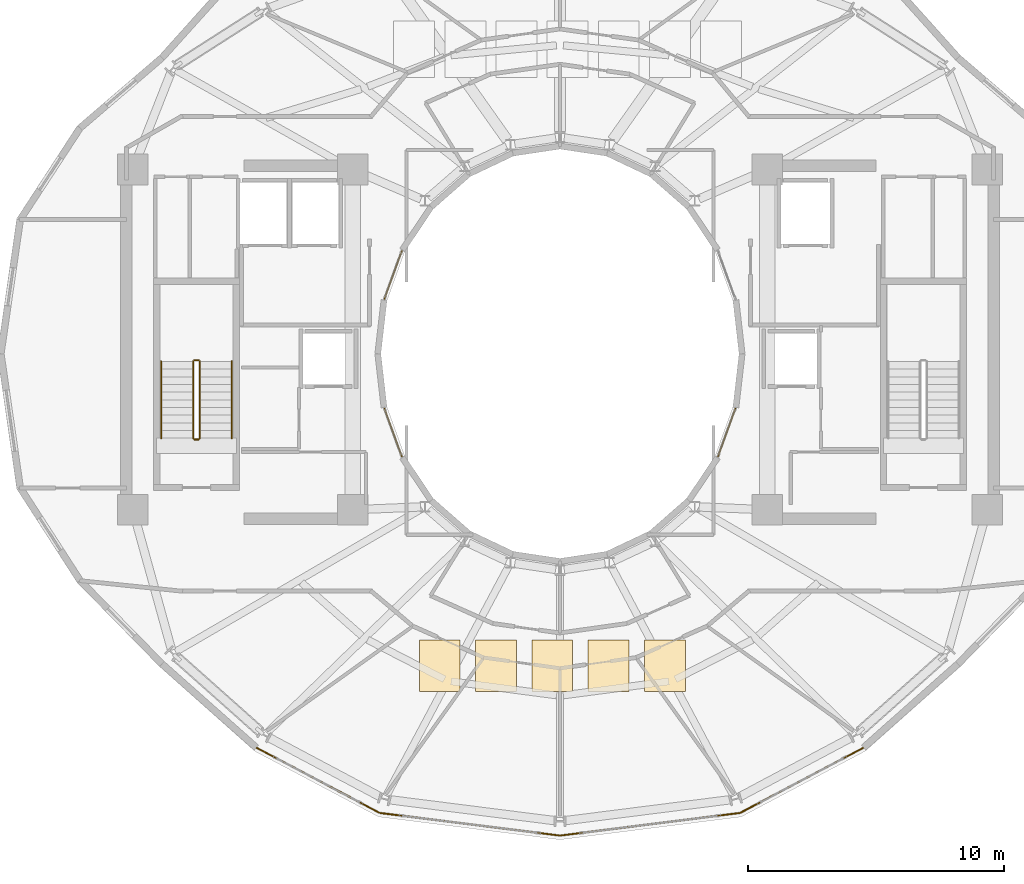
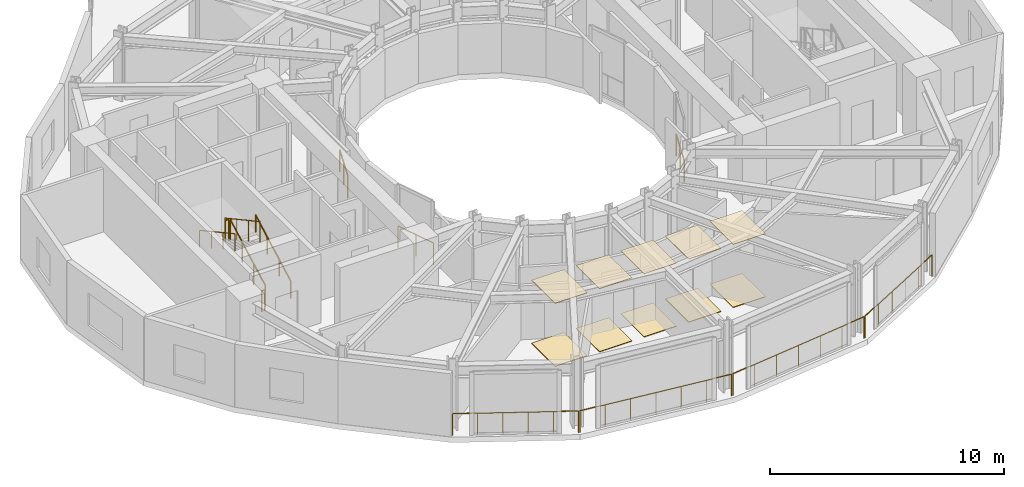
# One storey, part 22 of 24: 13 railings, 10 coverings.
"""IFC4 building model written with IfcOpenShell, lengths in metres."""

from ifc_helpers import new_model, si_unit, direction, frame, origin, origin_2d, place, context, subcontext, project, spatial, polyline, circle, outline, extrude, material, layer, layer_set, type_object, element, save


model = new_model("IFC4")

# Units and contexts
model_context = context("Model", 3, precision=1e-05, world=origin(), true_north=direction((0.0, 1.0)))
body_context = subcontext(model_context, "Body", "Model", "MODEL_VIEW")
ifc_project = project(units=[si_unit("LENGTHUNIT", "METRE"), si_unit("AREAUNIT", "SQUARE_METRE"), si_unit("VOLUMEUNIT", "CUBIC_METRE"), si_unit("PLANEANGLEUNIT", "RADIAN"), si_unit("MASSUNIT", "GRAM", prefix="KILO")], contexts=[model_context])

# Site, building, storey
site_placement = place(None, origin())
site = spatial("IfcSite", under=ifc_project, at=site_placement, CompositionType="ELEMENT")
building_placement = place(site_placement, origin())
building = spatial("IfcBuilding", under=site, at=building_placement, Name="Solvane Sanctuary Tower", CompositionType="ELEMENT")
storey_placement = place(building_placement, frame((0.0, 0.0, 246.0)))
storey = spatial("IfcBuildingStorey", under=building, at=storey_placement, Name="L75", CompositionType="ELEMENT", Elevation=246.0)

# Coverings
ifc_material_1 = material(Name="Acoustic Gypsum Partition Board")
ifc_layer_1 = layer(ifc_material_1, 0.02490234375, Name="Acoustic Gypsum Partition Board")
ifc_layer_set_1 = layer_set([ifc_layer_1], Name="Acoustic Gypsum Partition Board")
covering_type_1 = type_object("IfcCoveringType", Name="Covering CLG-ACOUST", PredefinedType="CEILING", material=ifc_layer_set_1)
covering_1_placement = place(storey_placement, frame((0.0, 0.0, 3.2900390625)))
element("IfcCovering", 1, at=covering_1_placement, inside=storey, type_object=covering_type_1, Name="L75 Sky Dining Acoustic Coffer 8", PredefinedType="CEILING", context=body_context, shape_type="SweptSolid", body=[
    extrude(outline(polyline([(26.5, 9.800048828125), (28.10009765625, 9.800048828125), (28.10009765625, 11.800048828125), (26.5, 11.800048828125), (26.5, 9.800048828125)])), origin(), (0.0, 0.0, 1.0), 0.030029296875),
])
covering_2_placement = place(storey_placement, frame((0.0, 0.0, 3.2900390625)))
element("IfcCovering", 2, at=covering_2_placement, inside=storey, type_object=covering_type_1, Name="L75 Sky Dining Acoustic Coffer 9", PredefinedType="CEILING", context=body_context, shape_type="SweptSolid", body=[
    extrude(outline(polyline([(28.699951171875, 9.800048828125), (30.300048828125, 9.800048828125), (30.300048828125, 11.800048828125), (28.699951171875, 11.800048828125), (28.699951171875, 9.800048828125)])), origin(), (0.0, 0.0, 1.0), 0.030029296875),
])
covering_3_placement = place(storey_placement, frame((0.0, 0.0, 3.2900390625)))
element("IfcCovering", 3, at=covering_3_placement, inside=storey, type_object=covering_type_1, Name="L75 Sky Dining Acoustic Coffer 10", PredefinedType="CEILING", context=body_context, shape_type="SweptSolid", body=[
    extrude(outline(polyline([(30.89990234375, 9.800048828125), (32.5, 9.800048828125), (32.5, 11.800048828125), (30.89990234375, 11.800048828125), (30.89990234375, 9.800048828125)])), origin(), (0.0, 0.0, 1.0), 0.030029296875),
])
covering_4_placement = place(storey_placement, frame((0.0, 0.0, 3.2900390625)))
element("IfcCovering", 4, at=covering_4_placement, inside=storey, type_object=covering_type_1, Name="L75 Sky Dining Acoustic Coffer 11", PredefinedType="CEILING", context=body_context, shape_type="SweptSolid", body=[
    extrude(outline(polyline([(33.10009765625, 9.800048828125), (34.699951171875, 9.800048828125), (34.699951171875, 11.800048828125), (33.10009765625, 11.800048828125), (33.10009765625, 9.800048828125)])), origin(), (0.0, 0.0, 1.0), 0.030029296875),
])
covering_5_placement = place(storey_placement, frame((0.0, 0.0, 3.2900390625)))
element("IfcCovering", 5, at=covering_5_placement, inside=storey, type_object=covering_type_1, Name="L75 Sky Dining Acoustic Coffer 12", PredefinedType="CEILING", context=body_context, shape_type="SweptSolid", body=[
    extrude(outline(polyline([(35.300048828125, 9.800048828125), (36.89990234375, 9.800048828125), (36.89990234375, 11.800048828125), (35.300048828125, 11.800048828125), (35.300048828125, 9.800048828125)])), origin(), (0.0, 0.0, 1.0), 0.030029296875),
])
ifc_material_2 = material(Name="Ceramic Tile Finish")
ifc_layer_2 = layer(ifc_material_2, 0.030029296875, Name="Ceramic Tile Finish")
ifc_layer_set_2 = layer_set([ifc_layer_2], Name="Ceramic Tile Finish")
covering_type_2 = type_object("IfcCoveringType", Name="Covering FLR-TERRAZZO", PredefinedType="FLOORING", material=ifc_layer_set_2)
covering_6_placement = place(storey_placement, origin())
element("IfcCovering", 6, at=covering_6_placement, inside=storey, type_object=covering_type_2, Name="L75 Sky Dining Terrazzo Inlay 8", PredefinedType="FLOORING", context=body_context, shape_type="SweptSolid", body=[
    extrude(outline(polyline([(26.5, 9.800048828125), (28.10009765625, 9.800048828125), (28.10009765625, 11.800048828125), (26.5, 11.800048828125), (26.5, 9.800048828125)])), origin(), (0.0, 0.0, 1.0), 0.034912109375),
])
covering_7_placement = place(storey_placement, origin())
element("IfcCovering", 7, at=covering_7_placement, inside=storey, type_object=covering_type_2, Name="L75 Sky Dining Terrazzo Inlay 9", PredefinedType="FLOORING", context=body_context, shape_type="SweptSolid", body=[
    extrude(outline(polyline([(28.699951171875, 9.800048828125), (30.300048828125, 9.800048828125), (30.300048828125, 11.800048828125), (28.699951171875, 11.800048828125), (28.699951171875, 9.800048828125)])), origin(), (0.0, 0.0, 1.0), 0.034912109375),
])
covering_8_placement = place(storey_placement, origin())
element("IfcCovering", 8, at=covering_8_placement, inside=storey, type_object=covering_type_2, Name="L75 Sky Dining Terrazzo Inlay 10", PredefinedType="FLOORING", context=body_context, shape_type="SweptSolid", body=[
    extrude(outline(polyline([(30.89990234375, 9.800048828125), (32.5, 9.800048828125), (32.5, 11.800048828125), (30.89990234375, 11.800048828125), (30.89990234375, 9.800048828125)])), origin(), (0.0, 0.0, 1.0), 0.034912109375),
])
covering_9_placement = place(storey_placement, origin())
element("IfcCovering", 9, at=covering_9_placement, inside=storey, type_object=covering_type_2, Name="L75 Sky Dining Terrazzo Inlay 11", PredefinedType="FLOORING", context=body_context, shape_type="SweptSolid", body=[
    extrude(outline(polyline([(33.10009765625, 9.800048828125), (34.699951171875, 9.800048828125), (34.699951171875, 11.800048828125), (33.10009765625, 11.800048828125), (33.10009765625, 9.800048828125)])), origin(), (0.0, 0.0, 1.0), 0.034912109375),
])
covering_10_placement = place(storey_placement, origin())
element("IfcCovering", 10, at=covering_10_placement, inside=storey, type_object=covering_type_2, Name="L75 Sky Dining Terrazzo Inlay 12", PredefinedType="FLOORING", context=body_context, shape_type="SweptSolid", body=[
    extrude(outline(polyline([(35.300048828125, 9.800048828125), (36.89990234375, 9.800048828125), (36.89990234375, 11.800048828125), (35.300048828125, 11.800048828125), (35.300048828125, 9.800048828125)])), origin(), (0.0, 0.0, 1.0), 0.034912109375),
])

# Railings
ifc_material_3 = material(Name="Architectural Stainless Steel 316", Category="steel")
railing_type_1 = type_object("IfcRailingType", Name="Railing GR-BALC-1150", PredefinedType="BALUSTRADE", material=ifc_material_3)
railing_1_placement = place(storey_placement, frame((20.156494140625, 7.5869140625, 0.0)))
element("IfcRailing", 11, at=railing_1_placement, inside=storey, type_object=railing_type_1, Name="L75 Curtain-Wall Perimeter Sill Guard 16", PredefinedType="BALUSTRADE", context=body_context, shape_type="SweptSolid", body=[
    extrude(circle(Radius=0.02392578125, at=origin_2d()), frame((0.0, 0.0, 1.1259765625), z_axis=(0.883976980304, -0.467530424992, 0.0), x_axis=(0.467530424992, 0.883976980304, 0.0)), (0.0, 0.0, 1.0), 5.400390625),
    extrude(circle(Radius=0.02099609375, at=origin_2d()), origin(), (0.0, 0.0, 1.0), 1.101806640625),
    extrude(circle(Radius=0.02099609375, at=origin_2d()), frame((0.954833984375, -0.5048828125, 0.0)), (0.0, 0.0, 1.0), 1.101806640625),
    extrude(circle(Radius=0.02099609375, at=origin_2d()), frame((1.90966796875, -1.010009765625, 0.0)), (0.0, 0.0, 1.0), 1.101806640625),
    extrude(circle(Radius=0.02099609375, at=origin_2d()), frame((2.8642578125, -1.514892578125, 0.0)), (0.0, 0.0, 1.0), 1.101806640625),
    extrude(circle(Radius=0.02099609375, at=origin_2d()), frame((3.819091796875, -2.02001953125, 0.0)), (0.0, 0.0, 1.0), 1.101806640625),
    extrude(circle(Radius=0.02099609375, at=origin_2d()), frame((4.77392578125, -2.52490234375, 0.0)), (0.0, 0.0, 1.0), 1.101806640625),
])
railing_2_placement = place(storey_placement, frame((24.98681640625, 5.04443359375, 0.0)))
element("IfcRailing", 12, at=railing_2_placement, inside=storey, type_object=railing_type_1, Name="L75 Curtain-Wall Perimeter Sill Guard 17", PredefinedType="BALUSTRADE", context=body_context, shape_type="SweptSolid", body=[
    extrude(circle(Radius=0.02392578125, at=origin_2d()), frame((0.0, 0.0, 1.1259765625), z_axis=(0.992181523379, -0.124803143655, 0.0), x_axis=(0.124803143655, 0.992181523379, 0.0)), (0.0, 0.0, 1.0), 7.038330078125),
    extrude(circle(Radius=0.02099609375, at=origin_2d()), origin(), (0.0, 0.0, 1.0), 1.101806640625),
    extrude(circle(Radius=0.02099609375, at=origin_2d()), frame((1.163818359375, -0.146484375, 0.0)), (0.0, 0.0, 1.0), 1.101806640625),
    extrude(circle(Radius=0.02099609375, at=origin_2d()), frame((2.327880859375, -0.292724609375, 0.0)), (0.0, 0.0, 1.0), 1.101806640625),
    extrude(circle(Radius=0.02099609375, at=origin_2d()), frame((3.49169921875, -0.439208984375, 0.0)), (0.0, 0.0, 1.0), 1.101806640625),
    extrude(circle(Radius=0.02099609375, at=origin_2d()), frame((4.655517578125, -0.585693359375, 0.0)), (0.0, 0.0, 1.0), 1.101806640625),
    extrude(circle(Radius=0.02099609375, at=origin_2d()), frame((5.819580078125, -0.73193359375, 0.0)), (0.0, 0.0, 1.0), 1.101806640625),
    extrude(circle(Radius=0.02099609375, at=origin_2d()), frame((6.9833984375, -0.87841796875, 0.0)), (0.0, 0.0, 1.0), 1.101806640625),
])
railing_3_placement = place(storey_placement, frame((32.02978515625, 4.166015625, 0.0)))
element("IfcRailing", 13, at=railing_3_placement, inside=storey, type_object=railing_type_1, Name="L75 Curtain-Wall Perimeter Sill Guard 18", PredefinedType="BALUSTRADE", context=body_context, shape_type="SweptSolid", body=[
    extrude(circle(Radius=0.02392578125, at=origin_2d()), frame((0.0, 0.0, 1.1259765625), z_axis=(0.992181523379, 0.124803143655, 0.0), x_axis=(-0.124803143655, 0.992181523379, 0.0)), (0.0, 0.0, 1.0), 7.038330078125),
    extrude(circle(Radius=0.02099609375, at=origin_2d()), origin(), (0.0, 0.0, 1.0), 1.101806640625),
    extrude(circle(Radius=0.02099609375, at=origin_2d()), frame((1.163818359375, 0.146484375, 0.0)), (0.0, 0.0, 1.0), 1.101806640625),
    extrude(circle(Radius=0.02099609375, at=origin_2d()), frame((2.327880859375, 0.292724609375, 0.0)), (0.0, 0.0, 1.0), 1.101806640625),
    extrude(circle(Radius=0.02099609375, at=origin_2d()), frame((3.49169921875, 0.439208984375, 0.0)), (0.0, 0.0, 1.0), 1.101806640625),
    extrude(circle(Radius=0.02099609375, at=origin_2d()), frame((4.655517578125, 0.585693359375, 0.0)), (0.0, 0.0, 1.0), 1.101806640625),
    extrude(circle(Radius=0.02099609375, at=origin_2d()), frame((5.819580078125, 0.73193359375, 0.0)), (0.0, 0.0, 1.0), 1.101806640625),
    extrude(circle(Radius=0.02099609375, at=origin_2d()), frame((6.9833984375, 0.87841796875, 0.0)), (0.0, 0.0, 1.0), 1.101806640625),
])
railing_4_placement = place(storey_placement, frame((39.069580078125, 5.06201171875, 0.0)))
element("IfcRailing", 14, at=railing_4_placement, inside=storey, type_object=railing_type_1, Name="L75 Curtain-Wall Perimeter Sill Guard 19", PredefinedType="BALUSTRADE", context=body_context, shape_type="SweptSolid", body=[
    extrude(circle(Radius=0.02392578125, at=origin_2d()), frame((0.0, 0.0, 1.1259765625), z_axis=(0.883976980304, 0.467530424992, 0.0), x_axis=(-0.467530424992, 0.883976980304, 0.0)), (0.0, 0.0, 1.0), 5.400390625),
    extrude(circle(Radius=0.02099609375, at=origin_2d()), origin(), (0.0, 0.0, 1.0), 1.101806640625),
    extrude(circle(Radius=0.02099609375, at=origin_2d()), frame((0.954833984375, 0.5048828125, 0.0)), (0.0, 0.0, 1.0), 1.101806640625),
    extrude(circle(Radius=0.02099609375, at=origin_2d()), frame((1.90966796875, 1.010009765625, 0.0)), (0.0, 0.0, 1.0), 1.101806640625),
    extrude(circle(Radius=0.02099609375, at=origin_2d()), frame((2.8642578125, 1.514892578125, 0.0)), (0.0, 0.0, 1.0), 1.101806640625),
    extrude(circle(Radius=0.02099609375, at=origin_2d()), frame((3.819091796875, 2.02001953125, 0.0)), (0.0, 0.0, 1.0), 1.101806640625),
    extrude(circle(Radius=0.02099609375, at=origin_2d()), frame((4.77392578125, 2.52490234375, 0.0)), (0.0, 0.0, 1.0), 1.101806640625),
])
railing_5_placement = place(storey_placement, frame((17.919921875, 19.699951171875, 0.16357421875)))
element("IfcRailing", 15, at=railing_5_placement, inside=storey, type_object=railing_type_1, Name="L75 ST-1 stair guard 1", PredefinedType="BALUSTRADE", context=body_context, shape_type="SweptSolid", body=[
    extrude(circle(Radius=0.02392578125, at=origin_2d()), frame((0.0, 0.0, 1.076171875), z_axis=(0.0, 0.877881921179, 0.478877158013), x_axis=(-1.0, 0.0, 0.0)), (0.0, 0.0, 1.0), 3.417236328125),
    extrude(circle(Radius=0.02099609375, at=origin_2d()), origin(), (0.0, 0.0, 1.0), 1.052001953125),
    extrude(circle(Radius=0.02099609375, at=origin_2d()), frame((0.0, 1.0, 0.54541015625)), (0.0, 0.0, 1.0), 1.052001953125),
    extrude(circle(Radius=0.02099609375, at=origin_2d()), frame((0.0, 2.0, 1.091064453125)), (0.0, 0.0, 1.0), 1.052001953125),
    extrude(circle(Radius=0.02099609375, at=origin_2d()), frame((0.0, 3.0, 1.636474609375)), (0.0, 0.0, 1.0), 1.052001953125),
])
railing_6_placement = place(storey_placement, frame((17.8701171875, 22.75, 1.800048828125)))
element("IfcRailing", 16, at=railing_6_placement, inside=storey, type_object=railing_type_1, Name="L75 ST-1 stair guard 2", PredefinedType="BALUSTRADE", context=body_context, shape_type="SweptSolid", body=[
    extrude(circle(Radius=0.02392578125, at=origin_2d()), frame((0.0, 0.0, 1.076171875), z_axis=(-1.0, 0.0, 0.0), x_axis=(0.0, -1.0, 0.0)), (0.0, 0.0, 1.0), 0.16015625),
    extrude(circle(Radius=0.02099609375, at=origin_2d()), origin(), (0.0, 0.0, 1.0), 1.052001953125),
    extrude(circle(Radius=0.02099609375, at=origin_2d()), frame((-0.16015625, 0.0, 0.0)), (0.0, 0.0, 1.0), 1.052001953125),
])
railing_7_placement = place(storey_placement, frame((17.659912109375, 22.699951171875, 1.963623046875)))
element("IfcRailing", 17, at=railing_7_placement, inside=storey, type_object=railing_type_1, Name="L75 ST-1 stair guard 3", PredefinedType="BALUSTRADE", context=body_context, shape_type="SweptSolid", body=[
    extrude(circle(Radius=0.02392578125, at=origin_2d()), frame((0.0, 0.0, 1.076171875), z_axis=(0.0, -0.877881921179, 0.478877158013), x_axis=(1.0, 0.0, 0.0)), (0.0, 0.0, 1.0), 3.417236328125),
    extrude(circle(Radius=0.02099609375, at=origin_2d()), origin(), (0.0, 0.0, 1.0), 1.052001953125),
    extrude(circle(Radius=0.02099609375, at=origin_2d()), frame((0.0, -1.0, 0.54541015625)), (0.0, 0.0, 1.0), 1.052001953125),
    extrude(circle(Radius=0.02099609375, at=origin_2d()), frame((0.0, -2.0, 1.091064453125)), (0.0, 0.0, 1.0), 1.052001953125),
    extrude(circle(Radius=0.02099609375, at=origin_2d()), frame((0.0, -3.0, 1.636474609375)), (0.0, 0.0, 1.0), 1.052001953125),
])
railing_8_placement = place(storey_placement, frame((17.8701171875, 19.64990234375, 0.0)))
element("IfcRailing", 18, at=railing_8_placement, inside=storey, type_object=railing_type_1, Name="L75 ST-1 stair guard 4", PredefinedType="BALUSTRADE", context=body_context, shape_type="SweptSolid", body=[
    extrude(circle(Radius=0.02392578125, at=origin_2d()), frame((0.0, 0.0, 1.076171875), z_axis=(-1.0, 0.0, 0.0), x_axis=(0.0, -1.0, 0.0)), (0.0, 0.0, 1.0), 0.16015625),
    extrude(circle(Radius=0.02099609375, at=origin_2d()), origin(), (0.0, 0.0, 1.0), 1.052001953125),
    extrude(circle(Radius=0.02099609375, at=origin_2d()), frame((-0.16015625, 0.0, 0.0)), (0.0, 0.0, 1.0), 1.052001953125),
])
railing_type_2 = type_object("IfcRailingType", Name="Railing GR-WELL-1150", PredefinedType="GUARDRAIL", material=ifc_material_3)
railing_9_placement = place(storey_placement, frame((25.81689453125, 27.012939453125, 0.0)))
element("IfcRailing", 19, at=railing_9_placement, inside=storey, type_object=railing_type_2, Name="L75 Light-Well Glazing Sill Guard 10", PredefinedType="GUARDRAIL", context=body_context, shape_type="SweptSolid", body=[
    extrude(circle(Radius=0.02392578125, at=origin_2d()), frame((0.0, 0.0, 1.1259765625), z_axis=(-0.341446556351, -0.939901191166, 0.0), x_axis=(0.939901191166, -0.341446556351, 0.0)), (0.0, 0.0, 1.0), 1.9833984375),
    extrude(circle(Radius=0.02099609375, at=origin_2d()), origin(), (0.0, 0.0, 1.0), 1.101806640625),
    extrude(circle(Radius=0.02099609375, at=origin_2d()), frame((-0.338623046875, -0.93212890625, 0.0)), (0.0, 0.0, 1.0), 1.101806640625),
    extrude(circle(Radius=0.02099609375, at=origin_2d()), frame((-0.67724609375, -1.8642578125, 0.0)), (0.0, 0.0, 1.0), 1.101806640625),
])
railing_10_placement = place(storey_placement, frame((25.1396484375, 20.851318359375, 0.0)))
element("IfcRailing", 20, at=railing_10_placement, inside=storey, type_object=railing_type_2, Name="L75 Light-Well Glazing Sill Guard 13", PredefinedType="GUARDRAIL", context=body_context, shape_type="SweptSolid", body=[
    extrude(circle(Radius=0.02392578125, at=origin_2d()), frame((0.0, 0.0, 1.1259765625), z_axis=(0.341446556351, -0.939901191166, 0.0), x_axis=(0.939901191166, 0.341446556351, 0.0)), (0.0, 0.0, 1.0), 1.9833984375),
    extrude(circle(Radius=0.02099609375, at=origin_2d()), origin(), (0.0, 0.0, 1.0), 1.101806640625),
    extrude(circle(Radius=0.02099609375, at=origin_2d()), frame((0.338623046875, -0.93212890625, 0.0)), (0.0, 0.0, 1.0), 1.101806640625),
    extrude(circle(Radius=0.02099609375, at=origin_2d()), frame((0.67724609375, -1.8642578125, 0.0)), (0.0, 0.0, 1.0), 1.101806640625),
])
railing_11_placement = place(storey_placement, frame((38.18310546875, 18.987060546875, 0.0)))
element("IfcRailing", 21, at=railing_11_placement, inside=storey, type_object=railing_type_2, Name="L75 Light-Well Glazing Sill Guard 22", PredefinedType="GUARDRAIL", context=body_context, shape_type="SweptSolid", body=[
    extrude(circle(Radius=0.02392578125, at=origin_2d()), frame((0.0, 0.0, 1.1259765625), z_axis=(0.341446556351, 0.939901191166, 0.0), x_axis=(-0.939901191166, 0.341446556351, 0.0)), (0.0, 0.0, 1.0), 1.9833984375),
    extrude(circle(Radius=0.02099609375, at=origin_2d()), origin(), (0.0, 0.0, 1.0), 1.101806640625),
    extrude(circle(Radius=0.02099609375, at=origin_2d()), frame((0.338623046875, 0.93212890625, 0.0)), (0.0, 0.0, 1.0), 1.101806640625),
    extrude(circle(Radius=0.02099609375, at=origin_2d()), frame((0.67724609375, 1.8642578125, 0.0)), (0.0, 0.0, 1.0), 1.101806640625),
])
railing_type_3 = type_object("IfcRailingType", Name="Railing HR-STAIR-920", PredefinedType="HANDRAIL", material=ifc_material_3)
railing_12_placement = place(storey_placement, frame((19.169921875, 19.699951171875, 0.16357421875)))
element("IfcRailing", 22, at=railing_12_placement, inside=storey, type_object=railing_type_3, Name="L75 ST-1 stair handrail 1", PredefinedType="HANDRAIL", context=body_context, shape_type="SweptSolid", body=[
    extrude(circle(Radius=0.02392578125, at=origin_2d()), frame((0.0, 0.0, 0.8759765625), z_axis=(0.0, 0.877881921179, 0.478877158013), x_axis=(-1.0, 0.0, 0.0)), (0.0, 0.0, 1.0), 3.417236328125),
    extrude(circle(Radius=0.02099609375, at=origin_2d()), origin(), (0.0, 0.0, 1.0), 0.851806640625),
    extrude(circle(Radius=0.02099609375, at=origin_2d()), frame((0.0, 1.0, 0.54541015625)), (0.0, 0.0, 1.0), 0.851806640625),
    extrude(circle(Radius=0.02099609375, at=origin_2d()), frame((0.0, 2.0, 1.091064453125)), (0.0, 0.0, 1.0), 0.851806640625),
    extrude(circle(Radius=0.02099609375, at=origin_2d()), frame((0.0, 3.0, 1.636474609375)), (0.0, 0.0, 1.0), 0.851806640625),
])
railing_13_placement = place(storey_placement, frame((16.409912109375, 22.699951171875, 1.963623046875)))
element("IfcRailing", 23, at=railing_13_placement, inside=storey, type_object=railing_type_3, Name="L75 ST-1 stair handrail 2", PredefinedType="HANDRAIL", context=body_context, shape_type="SweptSolid", body=[
    extrude(circle(Radius=0.02392578125, at=origin_2d()), frame((0.0, 0.0, 0.8759765625), z_axis=(0.0, -0.877881921179, 0.478877158013), x_axis=(1.0, 0.0, 0.0)), (0.0, 0.0, 1.0), 3.417236328125),
    extrude(circle(Radius=0.02099609375, at=origin_2d()), origin(), (0.0, 0.0, 1.0), 0.851806640625),
    extrude(circle(Radius=0.02099609375, at=origin_2d()), frame((0.0, -1.0, 0.54541015625)), (0.0, 0.0, 1.0), 0.851806640625),
    extrude(circle(Radius=0.02099609375, at=origin_2d()), frame((0.0, -2.0, 1.091064453125)), (0.0, 0.0, 1.0), 0.851806640625),
    extrude(circle(Radius=0.02099609375, at=origin_2d()), frame((0.0, -3.0, 1.636474609375)), (0.0, 0.0, 1.0), 0.851806640625),
])

save(model, "model.ifc")
